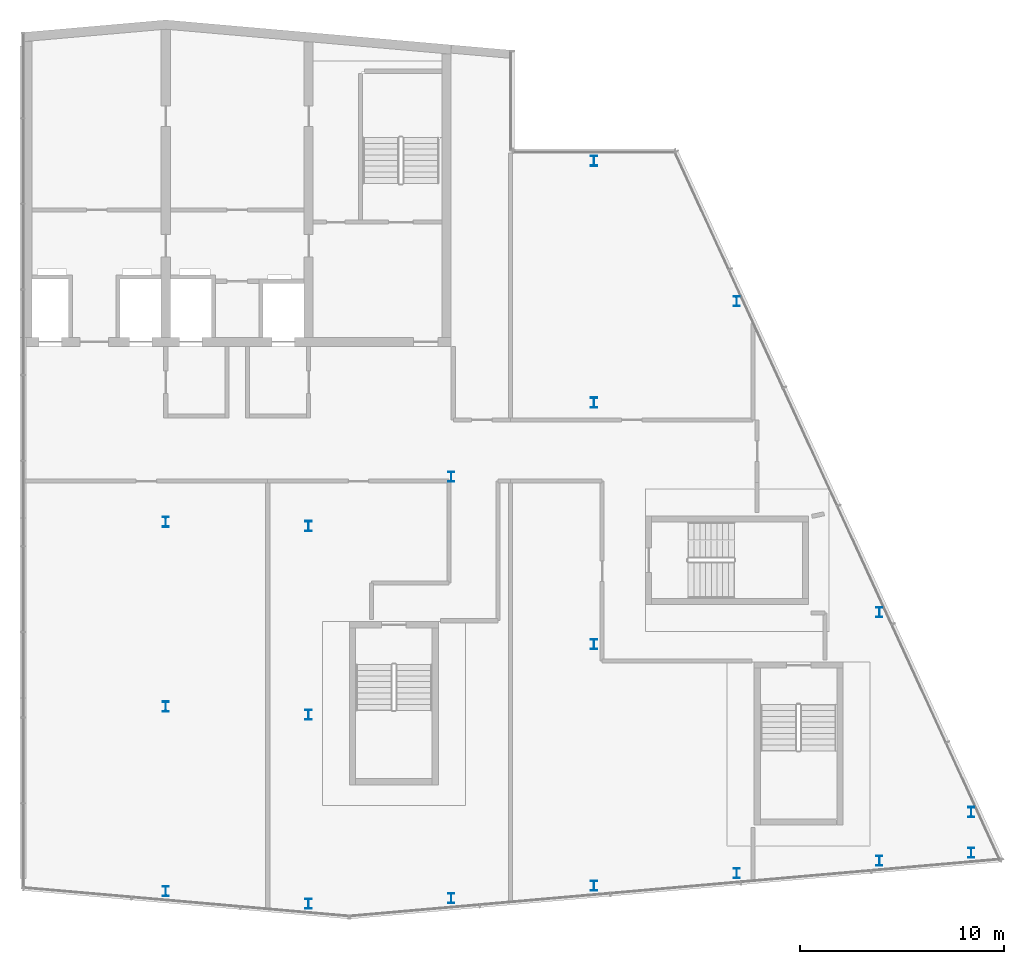
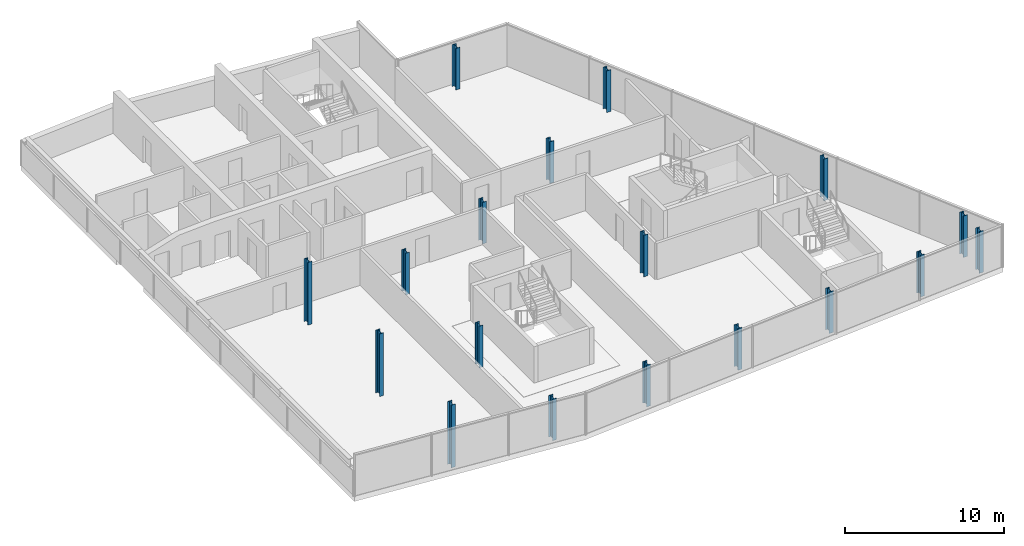
# One storey, part 1 of 13: 18 columns.
"""IFC4 building model written with IfcOpenShell, lengths in metres."""

from ifc_helpers import new_model, si_unit, direction, frame, origin, origin_2d, place, context, subcontext, project, spatial, i_section, extrude, material, material_profile, profile_set, type_object, element, save


model = new_model("IFC4")

# Units and contexts
model_context = context("Model", 3, precision=1e-05, world=origin(), true_north=direction((0.0, 1.0)))
body_context = subcontext(model_context, "Body", "Model", "MODEL_VIEW")
ifc_project = project(units=[si_unit("LENGTHUNIT", "METRE"), si_unit("AREAUNIT", "SQUARE_METRE"), si_unit("VOLUMEUNIT", "CUBIC_METRE"), si_unit("PLANEANGLEUNIT", "RADIAN"), si_unit("MASSUNIT", "GRAM", prefix="KILO")], contexts=[model_context])

# Site, building, storey
site_placement = place(None, origin())
site = spatial("IfcSite", under=ifc_project, at=site_placement, CompositionType="ELEMENT")
building_placement = place(site_placement, origin())
building = spatial("IfcBuilding", under=site, at=building_placement, Name="Wharfspan Tower", CompositionType="ELEMENT")
storey_placement = place(building_placement, frame((0.0, 0.0, 264.300049)))
storey = spatial("IfcBuildingStorey", under=building, at=storey_placement, Name="L67", CompositionType="ELEMENT", Elevation=264.300049)

# Columns
ifc_material = material(Name="Steel S355J2", Category="steel")
ifc_material_profile = material_profile(ifc_material, i_section(OverallWidth=0.300049, OverallDepth=0.5, WebThickness=0.014404, FlangeThickness=0.028076, FilletRadius=0.0271, at=origin_2d()))
ifc_profile_set = profile_set([ifc_material_profile], Name="Steel S355J2")
column_type = type_object("IfcColumnType", Name="Crown column HEB 500", PredefinedType="COLUMN", material=ifc_profile_set)
for number, where, z_axis, x_axis, name in (
    (1, (37.0, 7.287842, 0.0), (0.0, 0.0, 1.0), (1.0, 0.0, 0.0), "Crown column CR3 7 L67"),
    (2, (37.0, 16.341797, 0.0), (0.0, 0.0, 1.0), (1.0, 0.0, 0.0), "Crown column CR3 16 L67"),
    (3, (37.0, 25.395996, 0.0), (0.0, 0.0, 1.0), (1.0, 0.0, 0.0), "Crown column CR3 25 L67"),
):
    element("IfcColumn", number, at=place(storey_placement, frame(where, z_axis=z_axis, x_axis=x_axis)), inside=storey, type_object=column_type, Name=name, PredefinedType="COLUMN", context=body_context, shape_type="SweptSolid", body=[
        extrude(i_section(OverallWidth=0.300049, OverallDepth=0.5, WebThickness=0.014404, FlangeThickness=0.028076, FilletRadius=0.0271, at=origin_2d()), origin(), (0.0, 0.0, 1.0), 4.821777),
    ])
for number, where, z_axis, x_axis, name in (
    (4, (44.0, 6.675293, 0.0), (0.0, 0.0, 1.0), (1.0, 0.0, 0.0), "Crown column CR4 7 L67"),
    (5, (44.0, 15.933594, 0.0), (0.0, 0.0, 1.0), (1.0, 0.0, 0.0), "Crown column CR4 16 L67"),
    (6, (44.0, 25.191895, 0.0), (0.0, 0.0, 1.0), (1.0, 0.0, 0.0), "Crown column CR4 25 L67"),
    (7, (51.0, 6.937744, 0.0), (0.0, 0.0, 1.0), (1.0, 0.0, 0.0), "Crown column CR5 7 L67"),
    (8, (51.0, 27.612549, 0.0), (0.0, 0.0, 1.0), (1.0, 0.0, 0.0), "Crown column CR5 28 L67"),
    (9, (58.0, 7.550293, 0.0), (0.0, 0.0, 1.0), (1.0, 0.0, 0.0), "Crown column CR6 8 L67"),
    (10, (58.0, 19.400146, 0.0), (0.0, 0.0, 1.0), (1.0, 0.0, 0.0), "Crown column CR6 19 L67"),
    (11, (58.0, 31.25, 0.0), (0.0, 0.0, 1.0), (1.0, 0.0, 0.0), "Crown column CR6 31 L67"),
    (12, (58.0, 43.100098, 0.0), (0.0, 0.0, 1.0), (1.0, 0.0, 0.0), "Crown column CR6 43 L67"),
    (13, (65.0, 8.162598, 0.0), (0.0, 0.0, 1.0), (1.0, 0.0, 0.0), "Crown column CR7 8 L67"),
    (14, (65.0, 36.211182, 0.0), (0.0, 0.0, 1.0), (1.0, 0.0, 0.0), "Crown column CR7 36 L67"),
    (15, (72.0, 8.775146, 0.0), (0.0, 0.0, 1.0), (1.0, 0.0, 0.0), "Crown column CR8 9 L67"),
    (16, (72.0, 20.966797, 0.0), (0.0, 0.0, 1.0), (1.0, 0.0, 0.0), "Crown column CR8 21 L67"),
    (17, (76.5, 9.168701, 0.0), (0.0, 0.0, 1.0), (1.0, 0.0, 0.0), "Crown column CR9 9 L67"),
    (18, (76.5, 11.166748, 0.0), (0.0, 0.0, 1.0), (1.0, 0.0, 0.0), "Crown column CR9 11 L67"),
):
    element("IfcColumn", number, at=place(storey_placement, frame(where, z_axis=z_axis, x_axis=x_axis)), inside=storey, type_object=column_type, Name=name, PredefinedType="COLUMN", context=body_context, shape_type="SweptSolid", body=[
        extrude(i_section(OverallWidth=0.300049, OverallDepth=0.5, WebThickness=0.014404, FlangeThickness=0.028076, FilletRadius=0.0271, at=origin_2d()), origin(), (0.0, 0.0, 1.0), 3.199951),
    ])

save(model, "model.ifc")
